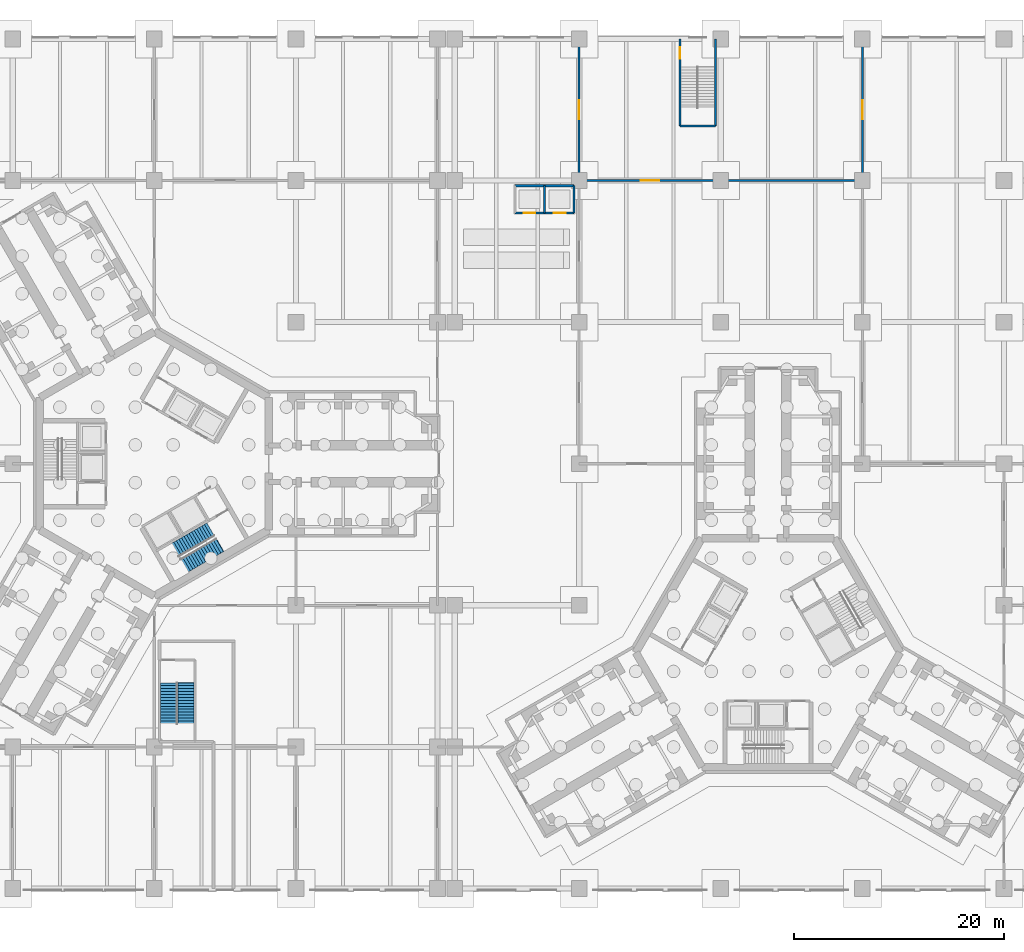
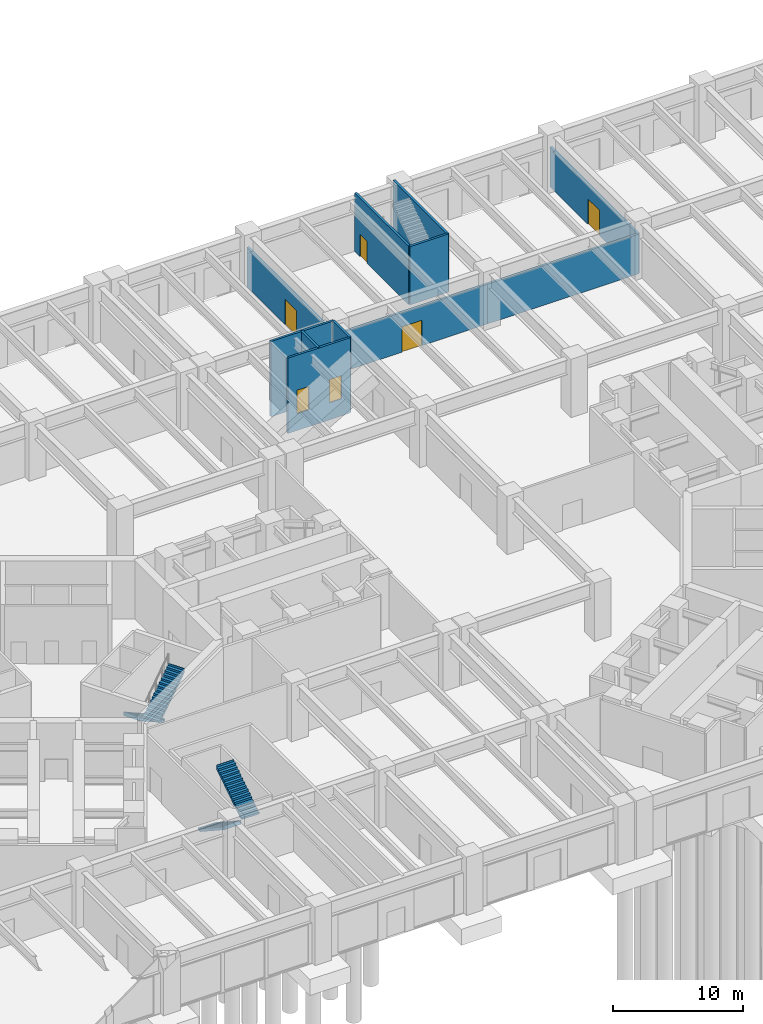
# One storey, part 15 of 18: 11 walls, 6 doors, 4 stair flights, 6 openings, 2 elements without a shape of their own.
"""IFC4 building model written with IfcOpenShell, lengths in metres."""

from ifc_helpers import new_model, si_unit, direction, frame, frame_2d, origin, place, context, subcontext, project, spatial, polyline, rectangle, outline, extrude, material, layer, layer_set, type_object, element, fill, aggregate, save


model = new_model("IFC4")

# Units and contexts
model_context = context("Model", 3, precision=1e-05, world=origin(), true_north=direction((0.0, 1.0)))
body_context = subcontext(model_context, "Body", "Model", "MODEL_VIEW")
ifc_project = project(units=[si_unit("LENGTHUNIT", "METRE"), si_unit("AREAUNIT", "SQUARE_METRE"), si_unit("VOLUMEUNIT", "CUBIC_METRE"), si_unit("PLANEANGLEUNIT", "RADIAN"), si_unit("MASSUNIT", "GRAM", prefix="KILO")], contexts=[model_context])

# Site, building, storey
site_placement = place(None, origin())
site = spatial("IfcSite", under=ifc_project, at=site_placement, CompositionType="ELEMENT")
building_placement = place(site_placement, origin())
building = spatial("IfcBuilding", under=site, at=building_placement, Name="Upepo Twin Towers", CompositionType="ELEMENT")
storey_placement = place(building_placement, origin())
storey = spatial("IfcBuildingStorey", under=building, at=storey_placement, Name="L00", CompositionType="ELEMENT", Elevation=0.0)

# Wall, openings, doors
ifc_material_1 = material(Name="Concrete C40/50", Category="concrete")
ifc_layer_1 = layer(ifc_material_1, 0.199951171875)
ifc_layer_set_1 = layer_set([ifc_layer_1], Name="Concrete C40/50")
wall_type_1 = type_object("IfcWallType", Name="Podium lift shaft wall 200 RC", PredefinedType="SHEAR", material=ifc_layer_set_1)
wall_1_placement = place(storey_placement, frame((34.39990234375, 23.89990234375, -1.60009765625), z_axis=(0.0, 0.0, 1.0), x_axis=(1.0, 0.0, 0.0)))
wall_1 = element("IfcWall", 1, at=wall_1_placement, inside=storey, type_object=wall_type_1, Name="Podium lift shaft L00 wall 1", PredefinedType="SHEAR", context=body_context, shape_type="SweptSolid", body=[
    extrude(rectangle(XDim=5.60009765625, YDim=0.199951171875, at=frame_2d((2.800048828125, 0.0))), origin(), (0.0, 0.0, 1.0), 7.10009765625),
])
opening_1_placement = place(wall_1_placement, frame((3.699951171875, 0.0, 1.60009765625)))
opening_1 = element("IfcOpeningElement", 2, at=opening_1_placement, cuts=wall_1, Name="Opening LD1", PredefinedType="OPENING", context=body_context, shape_type="SweptSolid", body=[
    extrude(rectangle(XDim=1.10009765625, YDim=2.199951171875, at=frame_2d((0.550048828125, 1.10009765625))), frame((0.0, 0.10986328125, 0.0), z_axis=(0.0, -1.0, 0.0), x_axis=(1.0, 0.0, 0.0)), (0.0, 0.0, 1.0), 0.219970703125),
])
opening_2_placement = place(wall_1_placement, frame((0.800048828125, 0.0, 1.60009765625)))
opening_2 = element("IfcOpeningElement", 3, at=opening_2_placement, cuts=wall_1, Name="Opening LD1", PredefinedType="OPENING", context=body_context, shape_type="SweptSolid", body=[
    extrude(rectangle(XDim=1.10009765625, YDim=2.199951171875, at=frame_2d((0.550048828125, 1.10009765625))), frame((0.0, 0.10986328125, 0.0), z_axis=(0.0, -1.0, 0.0), x_axis=(1.0, 0.0, 0.0)), (0.0, 0.0, 1.0), 0.219970703125),
])
ifc_material_2 = material(Name="Steel doorset", Category="steel")
door_type_1 = type_object("IfcDoorType", Name="Lift landing door 1100", OperationType="DOUBLE_DOOR_SLIDING", PredefinedType="DOOR", material=ifc_material_2)
door_1_placement = place(opening_1_placement, origin())
door_1 = element("IfcDoor", 4, at=door_1_placement, inside=storey, type_object=door_type_1, Name="Podium L00 lift PL1 landing door", OperationType="DOUBLE_DOOR_SLIDING", OverallHeight=2.199951171875, OverallWidth=1.10009765625, PredefinedType="DOOR", context=body_context, shape_type="SweptSolid", body=[
    extrude(rectangle(XDim=1.10009765625, YDim=2.199951171875, at=frame_2d((0.550048828125, 1.10009765625))), frame((0.0, 0.02490234375, 0.0), z_axis=(0.0, -1.0, 0.0), x_axis=(1.0, 0.0, 0.0)), (0.0, 0.0, 1.0), 0.050048828125),
])
fill(opening_1, door_1)
door_2_placement = place(opening_2_placement, origin())
door_2 = element("IfcDoor", 5, at=door_2_placement, inside=storey, type_object=door_type_1, Name="Podium L00 lift PL2 landing door", OperationType="DOUBLE_DOOR_SLIDING", OverallHeight=2.199951171875, OverallWidth=1.10009765625, PredefinedType="DOOR", context=body_context, shape_type="SweptSolid", body=[
    extrude(rectangle(XDim=1.10009765625, YDim=2.199951171875, at=frame_2d((0.550048828125, 1.10009765625))), frame((0.0, 0.02490234375, 0.0), z_axis=(0.0, -1.0, 0.0), x_axis=(1.0, 0.0, 0.0)), (0.0, 0.0, 1.0), 0.050048828125),
])
fill(opening_2, door_2)

# Walls
wall_2_placement = place(storey_placement, frame((40.0, 23.89990234375, -1.60009765625), z_axis=(0.0, 0.0, 1.0), x_axis=(0.0, 1.0, 0.0)))
element("IfcWall", 6, at=wall_2_placement, inside=storey, type_object=wall_type_1, Name="Podium lift shaft L00 wall 2", PredefinedType="SHEAR", context=body_context, shape_type="SweptSolid", body=[
    extrude(rectangle(XDim=2.60009765625, YDim=0.199951171875, at=frame_2d((1.300048828125, 0.0))), origin(), (0.0, 0.0, 1.0), 7.10009765625),
])
wall_3_placement = place(storey_placement, frame((40.0, 26.5, -1.60009765625), z_axis=(0.0, 0.0, 1.0), x_axis=(-1.0, 0.0, 0.0)))
element("IfcWall", 7, at=wall_3_placement, inside=storey, type_object=wall_type_1, Name="Podium lift shaft L00 wall 3", PredefinedType="SHEAR", context=body_context, shape_type="SweptSolid", body=[
    extrude(rectangle(XDim=5.60009765625, YDim=0.199951171875, at=frame_2d((2.800048828125, 0.0))), origin(), (0.0, 0.0, 1.0), 7.10009765625),
])
wall_4_placement = place(storey_placement, frame((37.199951171875, 23.89990234375, -1.60009765625), z_axis=(0.0, 0.0, 1.0), x_axis=(0.0, 1.0, 0.0)))
element("IfcWall", 8, at=wall_4_placement, inside=storey, type_object=wall_type_1, Name="Podium lift shaft L00 wall 5", PredefinedType="SHEAR", context=body_context, shape_type="SweptSolid", body=[
    extrude(rectangle(XDim=2.60009765625, YDim=0.199951171875, at=frame_2d((1.300048828125, 0.0))), origin(), (0.0, 0.0, 1.0), 7.10009765625),
])

# Wall, opening, door
ifc_material_3 = material(Name="Concrete blockwork", Category="masonry")
ifc_layer_2 = layer(ifc_material_3, 0.199951171875)
ifc_layer_set_2 = layer_set([ifc_layer_2], Name="Podium partition 200 blockwork")
wall_type_2 = type_object("IfcWallType", Name="Podium partition 200 blockwork", PredefinedType="PARTITIONING", material=ifc_layer_set_2)
wall_5_placement = place(storey_placement, frame((40.5, 27.0, 0.0), z_axis=(0.0, 0.0, 1.0), x_axis=(0.0, 1.0, 0.0)))
wall_5 = element("IfcWall", 9, at=wall_5_placement, inside=storey, type_object=wall_type_2, Name="L00 podium wall X55", PredefinedType="PARTITIONING", context=body_context, shape_type="SweptSolid", body=[
    extrude(rectangle(XDim=13.5, YDim=0.199951171875, at=frame_2d((6.75, 0.0))), origin(), (0.0, 0.0, 1.0), 3.75),
])
opening_3_placement = place(wall_5_placement, frame((5.85009765625, 0.0, 0.0)))
opening_3 = element("IfcOpeningElement", 10, at=opening_3_placement, cuts=wall_5, Name="Opening D10", PredefinedType="OPENING", context=body_context, shape_type="SweptSolid", body=[
    extrude(rectangle(XDim=1.800048828125, YDim=2.39990234375, at=frame_2d((0.89990234375, 1.199951171875))), frame((0.0, 0.10986328125, 0.0), z_axis=(0.0, -1.0, 0.0), x_axis=(1.0, 0.0, 0.0)), (0.0, 0.0, 1.0), 0.219970703125),
])
ifc_material_4 = material(Name="Timber doorset", Category="wood")
door_type_2 = type_object("IfcDoorType", Name="Podium double door 1800", OperationType="DOUBLE_DOOR_DOUBLE_SWING", PredefinedType="DOOR", material=ifc_material_4)
door_3_placement = place(opening_3_placement, origin())
door_3 = element("IfcDoor", 11, at=door_3_placement, inside=storey, type_object=door_type_2, Name="L00 exhibition gallery door", OperationType="DOUBLE_DOOR_DOUBLE_SWING", OverallHeight=2.39990234375, OverallWidth=1.800048828125, PredefinedType="DOOR", context=body_context, shape_type="SweptSolid", body=[
    extrude(rectangle(XDim=1.800048828125, YDim=2.39990234375, at=frame_2d((0.89990234375, 1.199951171875))), frame((0.0, 0.02490234375, 0.0), z_axis=(0.0, -1.0, 0.0), x_axis=(1.0, 0.0, 0.0)), (0.0, 0.0, 1.0), 0.050048828125),
])
fill(opening_3, door_3)

wall_6_placement = place(storey_placement, frame((40.5, 27.0, 0.0), z_axis=(0.0, 0.0, 1.0), x_axis=(1.0, 0.0, 0.0)))
wall_6 = element("IfcWall", 12, at=wall_6_placement, inside=storey, type_object=wall_type_2, Name="L00 podium wall Y55", PredefinedType="PARTITIONING", context=body_context, shape_type="SweptSolid", body=[
    extrude(rectangle(XDim=13.5, YDim=0.199951171875, at=frame_2d((6.75, 0.0))), origin(), (0.0, 0.0, 1.0), 3.75),
])
opening_4_placement = place(wall_6_placement, frame((5.85009765625, 0.0, 0.0)))
opening_4 = element("IfcOpeningElement", 13, at=opening_4_placement, cuts=wall_6, Name="Opening D10", PredefinedType="OPENING", context=body_context, shape_type="SweptSolid", body=[
    extrude(rectangle(XDim=1.800048828125, YDim=2.39990234375, at=frame_2d((0.89990234375, 1.199951171875))), frame((0.0, 0.10986328125, 0.0), z_axis=(0.0, -1.0, 0.0), x_axis=(1.0, 0.0, 0.0)), (0.0, 0.0, 1.0), 0.219970703125),
])
door_4_placement = place(opening_4_placement, origin())
door_4 = element("IfcDoor", 14, at=door_4_placement, inside=storey, type_object=door_type_2, Name="L00 lecture theatre lt1-exhibition gallery door", OperationType="DOUBLE_DOOR_DOUBLE_SWING", OverallHeight=2.39990234375, OverallWidth=1.800048828125, PredefinedType="DOOR", context=body_context, shape_type="SweptSolid", body=[
    extrude(rectangle(XDim=1.800048828125, YDim=2.39990234375, at=frame_2d((0.89990234375, 1.199951171875))), frame((0.0, 0.02490234375, 0.0), z_axis=(0.0, -1.0, 0.0), x_axis=(1.0, 0.0, 0.0)), (0.0, 0.0, 1.0), 0.050048828125),
])
fill(opening_4, door_4)

# Wall
wall_7_placement = place(storey_placement, frame((54.0, 27.0, 0.0), z_axis=(0.0, 0.0, 1.0), x_axis=(1.0, 0.0, 0.0)))
element("IfcWall", 15, at=wall_7_placement, inside=storey, type_object=wall_type_2, Name="L00 podium wall Y65", PredefinedType="PARTITIONING", context=body_context, shape_type="SweptSolid", body=[
    extrude(rectangle(XDim=13.5, YDim=0.199951171875, at=frame_2d((6.75, 0.0))), origin(), (0.0, 0.0, 1.0), 3.75),
])

# Wall, opening, door
wall_8_placement = place(storey_placement, frame((67.5, 27.0, 0.0), z_axis=(0.0, 0.0, 1.0), x_axis=(0.0, 1.0, 0.0)))
wall_8 = element("IfcWall", 16, at=wall_8_placement, inside=storey, type_object=wall_type_2, Name="L00 podium wall X75", PredefinedType="PARTITIONING", context=body_context, shape_type="SweptSolid", body=[
    extrude(rectangle(XDim=13.5, YDim=0.199951171875, at=frame_2d((6.75, 0.0))), origin(), (0.0, 0.0, 1.0), 3.75),
])
opening_5_placement = place(wall_8_placement, frame((5.85009765625, 0.0, 0.0)))
opening_5 = element("IfcOpeningElement", 17, at=opening_5_placement, cuts=wall_8, Name="Opening D10", PredefinedType="OPENING", context=body_context, shape_type="SweptSolid", body=[
    extrude(rectangle(XDim=1.800048828125, YDim=2.39990234375, at=frame_2d((0.89990234375, 1.199951171875))), frame((0.0, 0.10986328125, 0.0), z_axis=(0.0, -1.0, 0.0), x_axis=(1.0, 0.0, 0.0)), (0.0, 0.0, 1.0), 0.219970703125),
])
door_5_placement = place(opening_5_placement, origin())
door_5 = element("IfcDoor", 18, at=door_5_placement, inside=storey, type_object=door_type_2, Name="L00 exhibition gallery-library entrance hall door", OperationType="DOUBLE_DOOR_DOUBLE_SWING", OverallHeight=2.39990234375, OverallWidth=1.800048828125, PredefinedType="DOOR", context=body_context, shape_type="SweptSolid", body=[
    extrude(rectangle(XDim=1.800048828125, YDim=2.39990234375, at=frame_2d((0.89990234375, 1.199951171875))), frame((0.0, 0.02490234375, 0.0), z_axis=(0.0, -1.0, 0.0), x_axis=(1.0, 0.0, 0.0)), (0.0, 0.0, 1.0), 0.050048828125),
])
fill(opening_5, door_5)

# Walls
ifc_material_5 = material(Name="Concrete C40/50", Category="concrete")
ifc_layer_3 = layer(ifc_material_5, 0.199951171875)
ifc_layer_set_3 = layer_set([ifc_layer_3], Name="Concrete C40/50")
wall_type_3 = type_object("IfcWallType", Name="Podium stair enclosure 200 RC", PredefinedType="SHEAR", material=ifc_layer_set_3)
wall_9_placement = place(storey_placement, frame((50.10009765625, 32.199951171875, 0.0), z_axis=(0.0, 0.0, 1.0), x_axis=(1.0, 0.0, 0.0)))
element("IfcWall", 19, at=wall_9_placement, inside=storey, type_object=wall_type_3, Name="PS4 L00 enclosure wall 1", PredefinedType="SHEAR", context=body_context, shape_type="SweptSolid", body=[
    extrude(rectangle(XDim=3.39990234375, YDim=0.199951171875, at=frame_2d((1.699951171875, 0.0))), origin(), (0.0, 0.0, 1.0), 5.5),
])
wall_10_placement = place(storey_placement, frame((53.5, 32.199951171875, 0.0), z_axis=(0.0, 0.0, 1.0), x_axis=(0.0, 1.0, 0.0)))
element("IfcWall", 20, at=wall_10_placement, inside=storey, type_object=wall_type_3, Name="PS4 L00 enclosure wall 2", PredefinedType="SHEAR", context=body_context, shape_type="SweptSolid", body=[
    extrude(rectangle(XDim=8.300048828125, YDim=0.199951171875, at=frame_2d((4.14990234375, 0.0))), origin(), (0.0, 0.0, 1.0), 5.5),
])

# Wall, opening, door
wall_11_placement = place(storey_placement, frame((50.10009765625, 40.5, 0.0), z_axis=(0.0, 0.0, 1.0), x_axis=(0.0, -1.0, 0.0)))
wall_11 = element("IfcWall", 21, at=wall_11_placement, inside=storey, type_object=wall_type_3, Name="PS4 L00 enclosure wall 4", PredefinedType="SHEAR", context=body_context, shape_type="SweptSolid", body=[
    extrude(rectangle(XDim=8.300048828125, YDim=0.199951171875, at=frame_2d((4.14990234375, 0.0))), origin(), (0.0, 0.0, 1.0), 5.5),
])
opening_6_placement = place(wall_11_placement, frame((0.800048828125, 0.0, 0.0)))
opening_6 = element("IfcOpeningElement", 22, at=opening_6_placement, cuts=wall_11, Name="Opening D3", PredefinedType="OPENING", context=body_context, shape_type="SweptSolid", body=[
    extrude(rectangle(XDim=1.10009765625, YDim=2.10009765625, at=frame_2d((0.550048828125, 1.050048828125))), frame((0.0, 0.10986328125, 0.0), z_axis=(0.0, -1.0, 0.0), x_axis=(1.0, 0.0, 0.0)), (0.0, 0.0, 1.0), 0.219970703125),
])
ifc_material_6 = material(Name="Timber doorset", Category="wood")
door_type_3 = type_object("IfcDoorType", Name="Stair door 1100 FD60", OperationType="SINGLE_SWING_LEFT", PredefinedType="DOOR", material=ifc_material_6)
door_6_placement = place(opening_6_placement, origin())
door_6 = element("IfcDoor", 23, at=door_6_placement, inside=storey, type_object=door_type_3, Name="PS4 L00 door", OperationType="SINGLE_SWING_LEFT", OverallHeight=2.10009765625, OverallWidth=1.10009765625, PredefinedType="DOOR", context=body_context, shape_type="SweptSolid", body=[
    extrude(rectangle(XDim=1.10009765625, YDim=2.10009765625, at=frame_2d((0.550048828125, 1.050048828125))), frame((0.0, 0.02490234375, 0.0), z_axis=(0.0, -1.0, 0.0), x_axis=(1.0, 0.0, 0.0)), (0.0, 0.0, 1.0), 0.050048828125),
])
fill(opening_6, door_6)

# Stair, stair flights
ifc_material_7 = material(Name="Concrete C40/50", Category="concrete")
stair_type_1 = type_object("IfcStairType", Name="Podium stair, two flights", PredefinedType="HALF_TURN_STAIR", material=ifc_material_7)
stair_1_placement = place(storey_placement, origin())
stair_1 = element("IfcStair", 24, at=stair_1_placement, inside=storey, type_object=stair_type_1, Name="Podium stair PS3 L00", PredefinedType="HALF_TURN_STAIR")
ifc_material_8 = material(Name="Concrete C40/50", Category="concrete")
stair_flight_type_1 = type_object("IfcStairFlightType", Name="Podium stair flight 1550 RC", PredefinedType="STRAIGHT", material=ifc_material_8)
stair_flight_1_placement = place(storey_placement, frame((1.375, -20.8798828125, 0.0), z_axis=(0.0, 0.0, 1.0), x_axis=(0.0, -1.0, 0.0)))
stair_flight_1 = element("IfcStairFlight", 25, at=stair_flight_1_placement, type_object=stair_flight_type_1, Name="Stair PS3 flight 1", NumberOfRisers=15, NumberOfTreads=14, PredefinedType="STRAIGHT", RiserHeight=0.183333333, TreadLength=0.28, context=body_context, shape_type="SweptSolid", body=[
    extrude(outline(polyline([(0.0, 0.0), (0.0, 0.183349609375), (0.280029296875, 0.183349609375), (0.280029296875, 0.36669921875), (0.56005859375, 0.36669921875), (0.56005859375, 0.550048828125), (0.840087890625, 0.550048828125), (0.840087890625, 0.7333984375), (1.1201171875, 0.7333984375), (1.1201171875, 0.916748046875), (1.39990234375, 0.916748046875), (1.39990234375, 1.10009765625), (1.679931640625, 1.10009765625), (1.679931640625, 1.283447265625), (1.9599609375, 1.283447265625), (1.9599609375, 1.466552734375), (2.239990234375, 1.466552734375), (2.239990234375, 1.64990234375), (2.52001953125, 1.64990234375), (2.52001953125, 1.833251953125), (2.800048828125, 1.833251953125), (2.800048828125, 2.0166015625), (3.080078125, 2.0166015625), (3.080078125, 2.199951171875), (3.360107421875, 2.199951171875), (3.360107421875, 2.38330078125), (3.639892578125, 2.38330078125), (3.639892578125, 2.566650390625), (3.919921875, 2.566650390625), (3.919921875, 2.75), (3.969970703125, 2.75), (3.969970703125, 2.387451171875), (0.32373046875, 0.0), (0.0, 0.0)])), frame((0.0, 0.77490234375, 0.0), z_axis=(0.0, -1.0, 0.0), x_axis=(1.0, 0.0, 0.0)), (0.0, 0.0, 1.0), 1.550048828125),
])
stair_flight_2_placement = place(storey_placement, frame((3.02490234375, -24.800048828125, 2.75), z_axis=(0.0, 0.0, 1.0), x_axis=(0.0, 1.0, 0.0)))
stair_flight_2 = element("IfcStairFlight", 26, at=stair_flight_2_placement, type_object=stair_flight_type_1, Name="Stair PS3 flight 2", NumberOfRisers=15, NumberOfTreads=14, PredefinedType="STRAIGHT", RiserHeight=0.183333333, TreadLength=0.28, context=body_context, shape_type="SweptSolid", body=[
    extrude(outline(polyline([(0.0, 0.0), (0.0, 0.183349609375), (0.280029296875, 0.183349609375), (0.280029296875, 0.36669921875), (0.56005859375, 0.36669921875), (0.56005859375, 0.550048828125), (0.840087890625, 0.550048828125), (0.840087890625, 0.7333984375), (1.1201171875, 0.7333984375), (1.1201171875, 0.916748046875), (1.39990234375, 0.916748046875), (1.39990234375, 1.10009765625), (1.679931640625, 1.10009765625), (1.679931640625, 1.283447265625), (1.9599609375, 1.283447265625), (1.9599609375, 1.466552734375), (2.239990234375, 1.466552734375), (2.239990234375, 1.64990234375), (2.52001953125, 1.64990234375), (2.52001953125, 1.833251953125), (2.800048828125, 1.833251953125), (2.800048828125, 2.0166015625), (3.080078125, 2.0166015625), (3.080078125, 2.199951171875), (3.360107421875, 2.199951171875), (3.360107421875, 2.38330078125), (3.639892578125, 2.38330078125), (3.639892578125, 2.566650390625), (3.919921875, 2.566650390625), (3.919921875, 2.75), (3.969970703125, 2.75), (3.969970703125, 2.387451171875), (0.32373046875, 0.0), (0.0, 0.0)])), frame((0.0, 0.77490234375, 0.0), z_axis=(0.0, -1.0, 0.0), x_axis=(1.0, 0.0, 0.0)), (0.0, 0.0, 1.0), 1.550048828125),
])
aggregate(stair_1, [stair_flight_1, stair_flight_2])

ifc_material_9 = material(Name="Concrete C40/50", Category="concrete")
stair_type_2 = type_object("IfcStairType", Name="Core stair, two flights", PredefinedType="HALF_TURN_STAIR", material=ifc_material_9)
stair_2_placement = place(storey_placement, origin())
stair_2 = element("IfcStair", 27, at=stair_2_placement, inside=storey, type_object=stair_type_2, Name="T1 stair S2 L00", PredefinedType="HALF_TURN_STAIR")
ifc_material_10 = material(Name="Concrete C40/50", Category="concrete")
stair_flight_type_2 = type_object("IfcStairFlightType", Name="Stair flight 1450 RC", PredefinedType="STRAIGHT", material=ifc_material_10)
stair_flight_3_placement = place(storey_placement, frame((5.37890625, -6.2763671875, 0.0), z_axis=(0.0, 0.0, 1.0), x_axis=(-0.866025403784, -0.5, 0.0)))
stair_flight_3 = element("IfcStairFlight", 28, at=stair_flight_3_placement, type_object=stair_flight_type_2, Name="Stair S2 flight 1", NumberOfRisers=15, NumberOfTreads=14, PredefinedType="STRAIGHT", RiserHeight=0.183333333, TreadLength=0.28, context=body_context, shape_type="SweptSolid", body=[
    extrude(outline(polyline([(0.0, 0.0), (0.0, 0.183349609375), (0.280029296875, 0.183349609375), (0.280029296875, 0.36669921875), (0.56005859375, 0.36669921875), (0.56005859375, 0.550048828125), (0.840087890625, 0.550048828125), (0.840087890625, 0.7333984375), (1.1201171875, 0.7333984375), (1.1201171875, 0.916748046875), (1.39990234375, 0.916748046875), (1.39990234375, 1.10009765625), (1.679931640625, 1.10009765625), (1.679931640625, 1.283447265625), (1.9599609375, 1.283447265625), (1.9599609375, 1.466552734375), (2.239990234375, 1.466552734375), (2.239990234375, 1.64990234375), (2.52001953125, 1.64990234375), (2.52001953125, 1.833251953125), (2.800048828125, 1.833251953125), (2.800048828125, 2.0166015625), (3.080078125, 2.0166015625), (3.080078125, 2.199951171875), (3.360107421875, 2.199951171875), (3.360107421875, 2.38330078125), (3.639892578125, 2.38330078125), (3.639892578125, 2.566650390625), (3.919921875, 2.566650390625), (3.919921875, 2.75), (3.969970703125, 2.75), (3.969970703125, 2.387451171875), (0.32373046875, 0.0), (0.0, 0.0)])), frame((0.0, 0.72509765625, 0.0), z_axis=(0.0, -1.0, 0.0), x_axis=(1.0, 0.0, 0.0)), (0.0, 0.0, 1.0), 1.449951171875),
])
stair_flight_4_placement = place(storey_placement, frame((2.838134765625, -9.7158203125, 2.75), z_axis=(0.0, 0.0, 1.0), x_axis=(0.866025403784, 0.5, 0.0)))
stair_flight_4 = element("IfcStairFlight", 29, at=stair_flight_4_placement, type_object=stair_flight_type_2, Name="Stair S2 flight 2", NumberOfRisers=15, NumberOfTreads=14, PredefinedType="STRAIGHT", RiserHeight=0.183333333, TreadLength=0.28, context=body_context, shape_type="SweptSolid", body=[
    extrude(outline(polyline([(0.0, 0.0), (0.0, 0.183349609375), (0.280029296875, 0.183349609375), (0.280029296875, 0.36669921875), (0.56005859375, 0.36669921875), (0.56005859375, 0.550048828125), (0.840087890625, 0.550048828125), (0.840087890625, 0.7333984375), (1.1201171875, 0.7333984375), (1.1201171875, 0.916748046875), (1.39990234375, 0.916748046875), (1.39990234375, 1.10009765625), (1.679931640625, 1.10009765625), (1.679931640625, 1.283447265625), (1.9599609375, 1.283447265625), (1.9599609375, 1.466552734375), (2.239990234375, 1.466552734375), (2.239990234375, 1.64990234375), (2.52001953125, 1.64990234375), (2.52001953125, 1.833251953125), (2.800048828125, 1.833251953125), (2.800048828125, 2.0166015625), (3.080078125, 2.0166015625), (3.080078125, 2.199951171875), (3.360107421875, 2.199951171875), (3.360107421875, 2.38330078125), (3.639892578125, 2.38330078125), (3.639892578125, 2.566650390625), (3.919921875, 2.566650390625), (3.919921875, 2.75), (3.969970703125, 2.75), (3.969970703125, 2.387451171875), (0.32373046875, 0.0), (0.0, 0.0)])), frame((0.0, 0.72509765625, 0.0), z_axis=(0.0, -1.0, 0.0), x_axis=(1.0, 0.0, 0.0)), (0.0, 0.0, 1.0), 1.449951171875),
])
aggregate(stair_2, [stair_flight_3, stair_flight_4])

save(model, "model.ifc")
